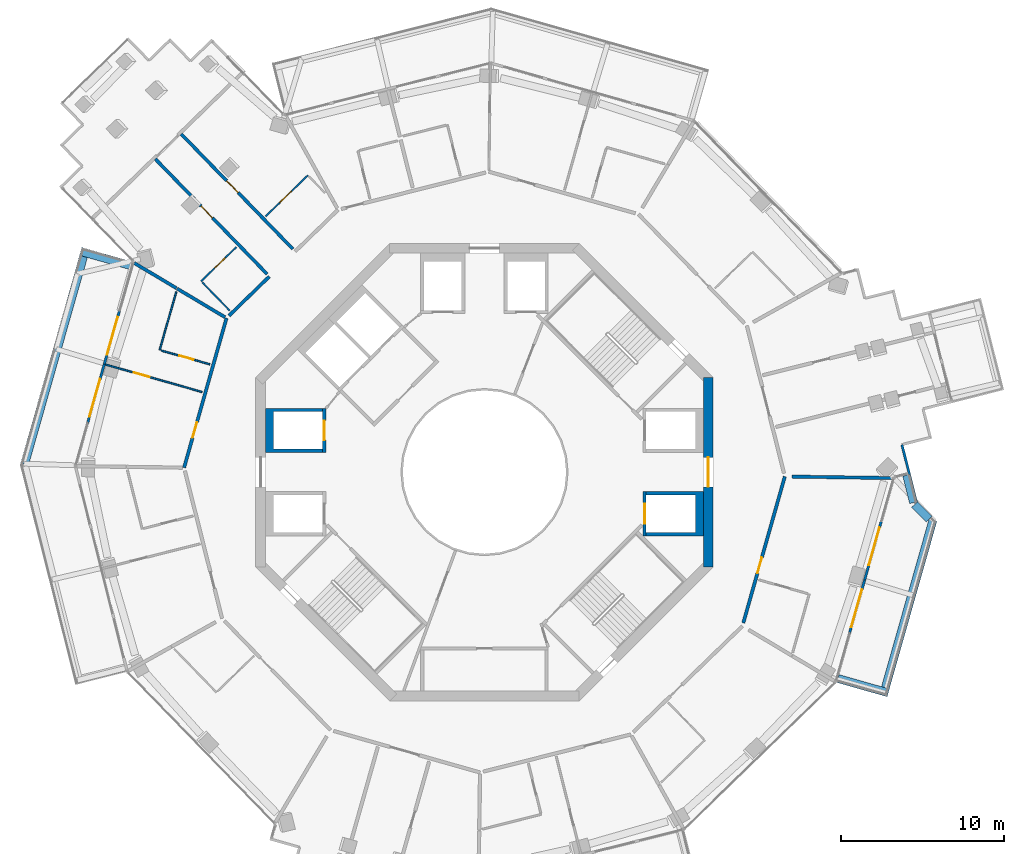
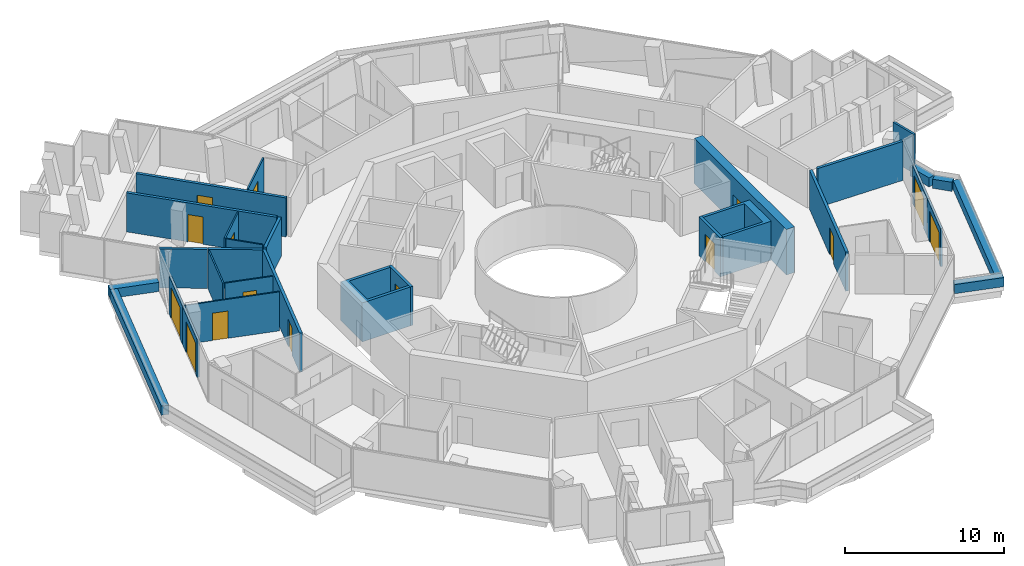
# One storey, part 18 of 24: 30 walls, 15 doors, 15 openings.
"""IFC4 building model written with IfcOpenShell, lengths in metres."""

from ifc_helpers import new_model, si_unit, direction, frame, frame_2d, origin, place, context, subcontext, project, spatial, polyline, rectangle, outline, extrude, material, layer, layer_set, type_object, element, fill, save


model = new_model("IFC4")

# Units and contexts
model_context = context("Model", 3, precision=1e-05, world=origin(), true_north=direction((0.0, 1.0)))
body_context = subcontext(model_context, "Body", "Model", "MODEL_VIEW")
ifc_project = project(units=[si_unit("LENGTHUNIT", "METRE"), si_unit("AREAUNIT", "SQUARE_METRE"), si_unit("VOLUMEUNIT", "CUBIC_METRE"), si_unit("PLANEANGLEUNIT", "RADIAN"), si_unit("MASSUNIT", "GRAM", prefix="KILO")], contexts=[model_context])

# Site, building, storey
site_placement = place(None, origin())
site = spatial("IfcSite", under=ifc_project, at=site_placement, CompositionType="ELEMENT")
building_placement = place(site_placement, origin())
building = spatial("IfcBuilding", under=site, at=building_placement, Name="Verdalira Terraces Hotel", CompositionType="ELEMENT")
storey_placement = place(building_placement, frame((0.0, 0.0, 212.5)))
storey = spatial("IfcBuildingStorey", under=building, at=storey_placement, Name="L52", CompositionType="ELEMENT", Elevation=212.5)

# Walls
ifc_material_1 = material(Name="Concrete C40", Category="concrete")
ifc_layer_1 = layer(ifc_material_1, 0.5)
ifc_layer_set_1 = layer_set([ifc_layer_1], Name="Balcony planter trough with tree")
wall_type_1 = type_object("IfcWallType", Name="Balcony planter trough with tree", PredefinedType="SOLIDWALL", material=ifc_layer_set_1)
wall_1_placement = place(storey_placement, frame((-21.63208, 12.634277, 0.0), z_axis=(0.0, 0.0, 1.0), x_axis=(-0.962020571, 0.272976962, 0.0)))
element("IfcWall", 1, at=wall_1_placement, inside=storey, type_object=wall_type_1, Name="Balcony planter", PredefinedType="SOLIDWALL", context=body_context, shape_type="SweptSolid", body=[
    extrude(rectangle(XDim=3.199219, YDim=0.5, at=frame_2d((1.599609, 0.0))), origin(), (0.0, 0.0, 1.0), 0.699951),
])
wall_2_placement = place(storey_placement, frame((-24.537354, 13.19873, 0.0), z_axis=(0.0, 0.0, 1.0), x_axis=(-0.272950348, -0.962028122, 0.0)))
element("IfcWall", 2, at=wall_2_placement, inside=storey, type_object=wall_type_1, Name="Balcony planter", PredefinedType="SOLIDWALL", context=body_context, shape_type="SweptSolid", body=[
    extrude(rectangle(XDim=13.223633, YDim=0.5, at=frame_2d((6.611816, 0.0))), origin(), (0.0, 0.0, 1.0), 0.699951),
])
wall_3_placement = place(storey_placement, frame((21.63208, -12.634277, 0.0), z_axis=(0.0, 0.0, 1.0), x_axis=(0.962020571, -0.272976962, 0.0)))
element("IfcWall", 3, at=wall_3_placement, inside=storey, type_object=wall_type_1, Name="Balcony planter", PredefinedType="SOLIDWALL", context=body_context, shape_type="SweptSolid", body=[
    extrude(rectangle(XDim=3.199219, YDim=0.5, at=frame_2d((1.599609, 0.0))), origin(), (0.0, 0.0, 1.0), 0.699951),
])
wall_4_placement = place(storey_placement, frame((24.537354, -13.19873, 0.0), z_axis=(0.0, 0.0, 1.0), x_axis=(0.272958972, 0.962025675, 0.0)))
element("IfcWall", 4, at=wall_4_placement, inside=storey, type_object=wall_type_1, Name="Balcony planter", PredefinedType="SOLIDWALL", context=body_context, shape_type="SweptSolid", body=[
    extrude(rectangle(XDim=10.652588, YDim=0.5, at=frame_2d((5.326172, 0.0))), origin(), (0.0, 0.0, 1.0), 0.699951),
])
wall_5_placement = place(storey_placement, frame((27.20459, -2.882568, 0.0), z_axis=(0.0, 0.0, 1.0), x_axis=(-0.696583766, 0.717475475, 0.0)))
element("IfcWall", 5, at=wall_5_placement, inside=storey, type_object=wall_type_1, Name="Balcony planter", PredefinedType="SOLIDWALL", context=body_context, shape_type="SweptSolid", body=[
    extrude(rectangle(XDim=1.262207, YDim=0.5, at=frame_2d((0.631104, 0.0))), origin(), (0.0, 0.0, 1.0), 0.699951),
])
wall_6_placement = place(storey_placement, frame((26.262207, -1.864014, 0.0), z_axis=(0.0, 0.0, 1.0), x_axis=(-0.244592852, 0.969625875, 0.0)))
element("IfcWall", 6, at=wall_6_placement, inside=storey, type_object=wall_type_1, Name="Balcony planter", PredefinedType="SOLIDWALL", context=body_context, shape_type="SweptSolid", body=[
    extrude(rectangle(XDim=1.730713, YDim=0.5, at=frame_2d((0.865234, 0.0))), origin(), (0.0, 0.0, 1.0), 0.699951),
])

# Wall, opening, door
ifc_material_2 = material(Name="Moisture-resistant gypsum board partition")
ifc_layer_2 = layer(ifc_material_2, 0.10009765625)
ifc_layer_set_2 = layer_set([ifc_layer_2], Name="Bathroom partition 100 mm")
wall_type_2 = type_object("IfcWallType", Name="Bathroom partition 100 mm", PredefinedType="PARTITIONING", material=ifc_layer_set_2)
wall_7_placement = place(storey_placement, frame((-23.192871, 6.580322, 0.0), z_axis=(0.0, 0.0, 1.0), x_axis=(0.96203609, -0.272922263, 0.0)))
wall_7 = element("IfcWall", 7, at=wall_7_placement, inside=storey, type_object=wall_type_2, Name="Bathroom partition", PredefinedType="PARTITIONING", context=body_context, shape_type="SweptSolid", body=[
    extrude(rectangle(XDim=6.149902, YDim=0.100098, at=frame_2d((3.074951, 0.0))), origin(), (0.0, 0.0, 1.0), 3.0),
])
opening_1_placement = place(wall_7_placement, frame((1.800049, 0.0, 0.0)))
opening_1 = element("IfcOpeningElement", 8, at=opening_1_placement, cuts=wall_7, Name="Opening L52-106", PredefinedType="OPENING", context=body_context, shape_type="SweptSolid", body=[
    extrude(rectangle(XDim=1.0, YDim=2.100098, at=frame_2d((0.5, 1.050049))), frame((0.0, 0.060059, 0.0), z_axis=(0.0, -1.0, 0.0), x_axis=(1.0, 0.0, 0.0)), (0.0, 0.0, 1.0), 0.120117),
])
ifc_material_3 = material(Name="Timber door", Category="wood")
door_type_1 = type_object("IfcDoorType", Name="Suite internal door 1000 x 2100", OperationType="NOTDEFINED", PredefinedType="DOOR", material=ifc_material_3)
door_1_placement = place(opening_1_placement, origin())
door_1 = element("IfcDoor", 9, at=door_1_placement, inside=storey, type_object=door_type_1, Name="Suite internal door 5203", OperationType="SINGLE_SWING_LEFT", OverallHeight=2.10009765625, OverallWidth=1.0, PredefinedType="DOOR", context=body_context, shape_type="SweptSolid", body=[
    extrude(rectangle(XDim=1.0, YDim=2.100098, at=frame_2d((0.5, 1.050049))), frame((0.0, 0.024902, 0.0), z_axis=(0.0, -1.0, 0.0), x_axis=(1.0, 0.0, 0.0)), (0.0, 0.0, 1.0), 0.050049),
])
fill(opening_1, door_1)

# Wall
wall_8_placement = place(storey_placement, frame((-18.864014, 11.030029, 0.0), z_axis=(0.0, 0.0, 1.0), x_axis=(-0.2729534, -0.962027256, 0.0)))
element("IfcWall", 10, at=wall_8_placement, inside=storey, type_object=wall_type_2, Name="Bathroom partition", PredefinedType="PARTITIONING", context=body_context, shape_type="SweptSolid", body=[
    extrude(rectangle(XDim=3.703857, YDim=0.100098, at=frame_2d((1.852051, 0.0))), origin(), (0.0, 0.0, 1.0), 3.0),
])

# Wall, opening, door
wall_9_placement = place(storey_placement, frame((-19.778809, 7.439453, 0.0), z_axis=(0.0, 0.0, 1.0), x_axis=(0.96202752, -0.272952471, 0.0)))
wall_9 = element("IfcWall", 11, at=wall_9_placement, inside=storey, type_object=wall_type_2, Name="Bathroom partition", PredefinedType="PARTITIONING", context=body_context, shape_type="SweptSolid", body=[
    extrude(rectangle(XDim=3.100098, YDim=0.100098, at=frame_2d((1.550049, 0.0))), origin(), (0.0, 0.0, 1.0), 3.0),
])
opening_2_placement = place(wall_9_placement, frame((1.149902, 0.0, 0.0)))
opening_2 = element("IfcOpeningElement", 12, at=opening_2_placement, cuts=wall_9, Name="Opening L52-107", PredefinedType="OPENING", context=body_context, shape_type="SweptSolid", body=[
    extrude(rectangle(XDim=0.899902, YDim=2.100098, at=frame_2d((0.449951, 1.050049))), frame((0.0, 0.060059, 0.0), z_axis=(0.0, -1.0, 0.0), x_axis=(1.0, 0.0, 0.0)), (0.0, 0.0, 1.0), 0.120117),
])
ifc_material_4 = material(Name="Timber door", Category="wood")
door_type_2 = type_object("IfcDoorType", Name="Bathroom door 900 x 2100", OperationType="NOTDEFINED", PredefinedType="DOOR", material=ifc_material_4)
door_2_placement = place(opening_2_placement, origin())
door_2 = element("IfcDoor", 13, at=door_2_placement, inside=storey, type_object=door_type_2, Name="Bathroom door 5203", OperationType="SINGLE_SWING_LEFT", OverallHeight=2.10009765625, OverallWidth=0.89990234375, PredefinedType="DOOR", context=body_context, shape_type="SweptSolid", body=[
    extrude(rectangle(XDim=0.899902, YDim=2.100098, at=frame_2d((0.449951, 1.050049))), frame((0.0, 0.024902, 0.0), z_axis=(0.0, -1.0, 0.0), x_axis=(1.0, 0.0, 0.0)), (0.0, 0.0, 1.0), 0.050049),
])
fill(opening_2, door_2)

# Wall
wall_10_placement = place(storey_placement, frame((-15.595703, 9.887695, 0.0), z_axis=(0.0, 0.0, 1.0), x_axis=(-0.696654076, 0.717407206, 0.0)))
element("IfcWall", 14, at=wall_10_placement, inside=storey, type_object=wall_type_2, Name="Bathroom partition", PredefinedType="PARTITIONING", context=body_context, shape_type="SweptSolid", body=[
    extrude(rectangle(XDim=2.399902, YDim=0.100098, at=frame_2d((1.199951, 0.0))), origin(), (0.0, 0.0, 1.0), 3.0),
])

# Wall, opening, door
wall_11_placement = place(storey_placement, frame((-15.185303, 13.770996, 0.0), z_axis=(0.0, 0.0, 1.0), x_axis=(-0.717407206, -0.696654076, 0.0)))
wall_11 = element("IfcWall", 15, at=wall_11_placement, inside=storey, type_object=wall_type_2, Name="Bathroom partition", PredefinedType="PARTITIONING", context=body_context, shape_type="SweptSolid", body=[
    extrude(rectangle(XDim=2.999756, YDim=0.100098, at=frame_2d((1.5, 0.0))), origin(), (0.0, 0.0, 1.0), 3.0),
])
opening_3_placement = place(wall_11_placement, frame((0.949951, 0.0, 0.0)))
opening_3 = element("IfcOpeningElement", 16, at=opening_3_placement, cuts=wall_11, Name="Opening L52-104", PredefinedType="OPENING", context=body_context, shape_type="SweptSolid", body=[
    extrude(rectangle(XDim=0.899902, YDim=2.100098, at=frame_2d((0.449951, 1.050049))), frame((0.0, 0.060059, 0.0), z_axis=(0.0, -1.0, 0.0), x_axis=(1.0, 0.0, 0.0)), (0.0, 0.0, 1.0), 0.120117),
])
door_3_placement = place(opening_3_placement, origin())
door_3 = element("IfcDoor", 17, at=door_3_placement, inside=storey, type_object=door_type_2, Name="Bathroom door 5202", OperationType="SINGLE_SWING_RIGHT", OverallHeight=2.10009765625, OverallWidth=0.89990234375, PredefinedType="DOOR", context=body_context, shape_type="SweptSolid", body=[
    extrude(rectangle(XDim=0.899902, YDim=2.100098, at=frame_2d((0.449951, 1.050049))), frame((0.0, 0.024902, 0.0), z_axis=(0.0, -1.0, 0.0), x_axis=(1.0, 0.0, 0.0)), (0.0, 0.0, 1.0), 0.050049),
])
fill(opening_3, door_3)

wall_12_placement = place(storey_placement, frame((-10.806885, 18.162109, 0.0), z_axis=(0.0, 0.0, 1.0), x_axis=(-0.717440118, -0.696620181, 0.0)))
wall_12 = element("IfcWall", 18, at=wall_12_placement, inside=storey, type_object=wall_type_2, Name="Bathroom partition", PredefinedType="PARTITIONING", context=body_context, shape_type="SweptSolid", body=[
    extrude(rectangle(XDim=3.599854, YDim=0.100098, at=frame_2d((1.799805, 0.0))), origin(), (0.0, 0.0, 1.0), 3.0),
])
opening_4_placement = place(wall_12_placement, frame((1.399902, 0.0, 0.0)))
opening_4 = element("IfcOpeningElement", 19, at=opening_4_placement, cuts=wall_12, Name="Opening L52-102", PredefinedType="OPENING", context=body_context, shape_type="SweptSolid", body=[
    extrude(rectangle(XDim=1.0, YDim=2.100098, at=frame_2d((0.5, 1.050049))), frame((0.0, 0.060059, 0.0), z_axis=(0.0, -1.0, 0.0), x_axis=(1.0, 0.0, 0.0)), (0.0, 0.0, 1.0), 0.120117),
])
ifc_material_5 = material(Name="Timber door", Category="wood")
door_type_3 = type_object("IfcDoorType", Name="Bathroom door 1000 x 2100", OperationType="NOTDEFINED", PredefinedType="DOOR", material=ifc_material_5)
door_4_placement = place(opening_4_placement, origin())
door_4 = element("IfcDoor", 20, at=door_4_placement, inside=storey, type_object=door_type_3, Name="Bathroom door 5201", OperationType="SINGLE_SWING_LEFT", OverallHeight=2.10009765625, OverallWidth=1.0, PredefinedType="DOOR", context=body_context, shape_type="SweptSolid", body=[
    extrude(rectangle(XDim=1.0, YDim=2.100098, at=frame_2d((0.5, 1.050049))), frame((0.0, 0.024902, 0.0), z_axis=(0.0, -1.0, 0.0), x_axis=(1.0, 0.0, 0.0)), (0.0, 0.0, 1.0), 0.050049),
])
fill(opening_4, door_4)

# Wall
ifc_material_6 = material(Name="Concrete C50", Category="concrete")
ifc_layer_3 = layer(ifc_material_6, 0.199951171875)
ifc_layer_set_3 = layer_set([ifc_layer_3], Name="Core RC wall 200 C50")
wall_type_3 = type_object("IfcWallType", Name="Core RC wall 200 C50", PredefinedType="SOLIDWALL", material=ifc_layer_set_3)
wall_13_placement = place(storey_placement, origin())
element("IfcWall", 21, at=wall_13_placement, inside=storey, type_object=wall_type_3, Name="L52 shaft wall E1", PredefinedType="SOLIDWALL", context=body_context, shape_type="SweptSolid", body=[
    extrude(outline(polyline([(13.399902, -3.899902), (9.899902, -3.899902), (9.899902, -3.699951), (12.899902, -3.699951), (12.899902, -1.399902), (9.899902, -1.399902), (9.899902, -1.199951), (13.399902, -1.199951), (13.399902, -3.899902)])), origin(), (0.0, 0.0, 1.0), 3.0),
])

# Wall, opening, door
wall_14_placement = place(storey_placement, frame((9.800049, -1.199951, 0.0), z_axis=(0.0, 0.0, 1.0), x_axis=(0.0, -1.0, 0.0)))
wall_14 = element("IfcWall", 22, at=wall_14_placement, inside=storey, type_object=wall_type_3, Name="L52 shaft front wall E1", PredefinedType="SOLIDWALL", context=body_context, shape_type="SweptSolid", body=[
    extrude(rectangle(XDim=2.699951, YDim=0.199951, at=frame_2d((1.350098, 0.0))), origin(), (0.0, 0.0, 1.0), 3.0),
])
opening_5_placement = place(wall_14_placement, frame((0.75, 0.0, 0.0)))
opening_5 = element("IfcOpeningElement", 23, at=opening_5_placement, cuts=wall_14, Name="Opening LD-L52-802", PredefinedType="OPENING", context=body_context, shape_type="SweptSolid", body=[
    extrude(rectangle(XDim=1.199951, YDim=2.100098, at=frame_2d((0.600098, 1.050049))), frame((0.0, 0.109863, 0.0), z_axis=(0.0, -1.0, 0.0), x_axis=(1.0, 0.0, 0.0)), (0.0, 0.0, 1.0), 0.219971),
])
ifc_material_7 = material(Name="Stainless steel", Category="steel")
door_type_4 = type_object("IfcDoorType", Name="Landing door 1200 x 2100", OperationType="NOTDEFINED", PredefinedType="DOOR", material=ifc_material_7)
door_5_placement = place(opening_5_placement, origin())
door_5 = element("IfcDoor", 24, at=door_5_placement, inside=storey, type_object=door_type_4, Name="Lift landing door HR1 L52", OperationType="DOUBLE_DOOR_SLIDING", OverallHeight=2.10009765625, OverallWidth=1.199951171875, PredefinedType="DOOR", context=body_context, shape_type="SweptSolid", body=[
    extrude(rectangle(XDim=1.199951, YDim=2.100098, at=frame_2d((0.600098, 1.050049))), frame((0.0, 0.024902, 0.0), z_axis=(0.0, -1.0, 0.0), x_axis=(1.0, 0.0, 0.0)), (0.0, 0.0, 1.0), 0.050049),
])
fill(opening_5, door_5)

# Wall
wall_15_placement = place(storey_placement, origin())
element("IfcWall", 25, at=wall_15_placement, inside=storey, type_object=wall_type_3, Name="L52 shaft wall W1", PredefinedType="SOLIDWALL", context=body_context, shape_type="SweptSolid", body=[
    extrude(outline(polyline([(-13.399902, 3.899902), (-9.899902, 3.899902), (-9.899902, 3.699951), (-12.899902, 3.699951), (-12.899902, 1.399902), (-9.899902, 1.399902), (-9.899902, 1.199951), (-13.399902, 1.199951), (-13.399902, 3.899902)])), origin(), (0.0, 0.0, 1.0), 3.0),
])

# Wall, opening, door
wall_16_placement = place(storey_placement, frame((-9.800049, 1.199951, 0.0), z_axis=(0.0, 0.0, 1.0), x_axis=(0.0, 1.0, 0.0)))
wall_16 = element("IfcWall", 26, at=wall_16_placement, inside=storey, type_object=wall_type_3, Name="L52 shaft front wall W1", PredefinedType="SOLIDWALL", context=body_context, shape_type="SweptSolid", body=[
    extrude(rectangle(XDim=2.699951, YDim=0.199951, at=frame_2d((1.350098, 0.0))), origin(), (0.0, 0.0, 1.0), 3.0),
])
opening_6_placement = place(wall_16_placement, frame((0.75, 0.0, 0.0)))
opening_6 = element("IfcOpeningElement", 27, at=opening_6_placement, cuts=wall_16, Name="Opening LD-L52-806", PredefinedType="OPENING", context=body_context, shape_type="SweptSolid", body=[
    extrude(rectangle(XDim=1.199951, YDim=2.100098, at=frame_2d((0.600098, 1.050049))), frame((0.0, 0.109863, 0.0), z_axis=(0.0, -1.0, 0.0), x_axis=(1.0, 0.0, 0.0)), (0.0, 0.0, 1.0), 0.219971),
])
door_6_placement = place(opening_6_placement, origin())
door_6 = element("IfcDoor", 28, at=door_6_placement, inside=storey, type_object=door_type_4, Name="Lift landing door HR5 L52", OperationType="DOUBLE_DOOR_SLIDING", OverallHeight=2.10009765625, OverallWidth=1.199951171875, PredefinedType="DOOR", context=body_context, shape_type="SweptSolid", body=[
    extrude(rectangle(XDim=1.199951, YDim=2.100098, at=frame_2d((0.600098, 1.050049))), frame((0.0, 0.024902, 0.0), z_axis=(0.0, -1.0, 0.0), x_axis=(1.0, 0.0, 0.0)), (0.0, 0.0, 1.0), 0.050049),
])
fill(opening_6, door_6)

ifc_material_8 = material(Name="Concrete C60", Category="concrete")
ifc_layer_4 = layer(ifc_material_8, 0.60009765625)
ifc_layer_set_4 = layer_set([ifc_layer_4], Name="Core wall 600 C60")
wall_type_4 = type_object("IfcWallType", Name="Core wall 600 C60", PredefinedType="SHEAR", material=ifc_layer_set_4)
wall_17_placement = place(storey_placement, frame((13.699951, -5.799072, 0.0), z_axis=(0.0, 0.0, 1.0), x_axis=(0.0, 1.0, 0.0)))
wall_17 = element("IfcWall", 29, at=wall_17_placement, inside=storey, type_object=wall_type_4, Name="Core wall CW-L52-1", PredefinedType="SHEAR", context=body_context, shape_type="SweptSolid", body=[
    extrude(rectangle(XDim=11.598145, YDim=0.600098, at=frame_2d((5.799072, 0.0))), origin(), (0.0, 0.0, 1.0), 3.5),
])
opening_7_placement = place(wall_17_placement, frame((4.898926, 0.0, 0.0)))
opening_7 = element("IfcOpeningElement", 30, at=opening_7_placement, cuts=wall_17, Name="Opening L52-813", PredefinedType="OPENING", context=body_context, shape_type="SweptSolid", body=[
    extrude(rectangle(XDim=1.800049, YDim=2.100098, at=frame_2d((0.899902, 1.050049))), frame((0.0, 0.310059, 0.0), z_axis=(0.0, -1.0, 0.0), x_axis=(1.0, 0.0, 0.0)), (0.0, 0.0, 1.0), 0.620117),
])
ifc_material_9 = material(Name="Steel fire door", Category="steel")
door_type_5 = type_object("IfcDoorType", Name="Core entry door pair 1800 x 2100", OperationType="NOTDEFINED", PredefinedType="DOOR", material=ifc_material_9)
door_7_placement = place(opening_7_placement, origin())
door_7 = element("IfcDoor", 31, at=door_7_placement, inside=storey, type_object=door_type_5, Name="Core entry door L52 0", OperationType="DOUBLE_DOOR_SINGLE_SWING", OverallHeight=2.10009765625, OverallWidth=1.800048828125, PredefinedType="DOOR", context=body_context, shape_type="SweptSolid", body=[
    extrude(rectangle(XDim=1.800049, YDim=2.100098, at=frame_2d((0.899902, 1.050049))), frame((0.0, 0.024902, 0.0), z_axis=(0.0, -1.0, 0.0), x_axis=(1.0, 0.0, 0.0)), (0.0, 0.0, 1.0), 0.050049),
])
fill(opening_7, door_7)

# Walls
ifc_material_10 = material(Name="Fire-rated gypsum board wall")
ifc_layer_5 = layer(ifc_material_10, 0.199951171875)
ifc_layer_set_5 = layer_set([ifc_layer_5], Name="Demising wall 200 mm")
wall_type_5 = type_object("IfcWallType", Name="Demising wall 200 mm", PredefinedType="SOLIDWALL", material=ifc_layer_set_5)
wall_18_placement = place(storey_placement, frame((-18.848633, 11.253906, 0.0), z_axis=(0.0, 0.0, 1.0), x_axis=(-0.858599774, 0.512646494, 0.0)))
element("IfcWall", 32, at=wall_18_placement, inside=storey, type_object=wall_type_5, Name="Demising wall", PredefinedType="SOLIDWALL", context=body_context, shape_type="SweptSolid", body=[
    extrude(rectangle(XDim=3.01123, YDim=0.199951, at=frame_2d((1.505615, 0.0))), origin(), (0.0, 0.0, 1.0), 3.0),
])
wall_19_placement = place(storey_placement, frame((-15.874023, 9.477783, 0.0), z_axis=(0.0, 0.0, 1.0), x_axis=(-0.858600029, 0.512646066, 0.0)))
element("IfcWall", 33, at=wall_19_placement, inside=storey, type_object=wall_type_5, Name="Demising wall", PredefinedType="SOLIDWALL", context=body_context, shape_type="SweptSolid", body=[
    extrude(rectangle(XDim=3.418457, YDim=0.199951, at=frame_2d((1.709229, 0.0))), origin(), (0.0, 0.0, 1.0), 3.0),
])
wall_20_placement = place(storey_placement, frame((24.961426, -0.365967, 0.0), z_axis=(0.0, 0.0, 1.0), x_axis=(-0.999892659, 0.014651609, 0.0)))
element("IfcWall", 34, at=wall_20_placement, inside=storey, type_object=wall_type_5, Name="Demising wall", PredefinedType="SOLIDWALL", context=body_context, shape_type="SweptSolid", body=[
    extrude(rectangle(XDim=6.13208, YDim=0.199951, at=frame_2d((3.065918, 0.0))), origin(), (0.0, 0.0, 1.0), 3.0),
])

# Wall, opening, door
ifc_material_11 = material(Name="Fire-rated gypsum board wall")
ifc_layer_6 = layer(ifc_material_11, 0.199951171875)
ifc_layer_set_6 = layer_set([ifc_layer_6], Name="Guest corridor wall 200 mm")
wall_type_6 = type_object("IfcWallType", Name="Guest corridor wall 200 mm", PredefinedType="SOLIDWALL", material=ifc_layer_set_6)
wall_21_placement = place(storey_placement, frame((-18.382812, 0.269531, 0.0), z_axis=(0.0, 0.0, 1.0), x_axis=(0.272958768, 0.962025733, 0.0)))
wall_21 = element("IfcWall", 35, at=wall_21_placement, inside=storey, type_object=wall_type_6, Name="Guest corridor wall", PredefinedType="SOLIDWALL", context=body_context, shape_type="SweptSolid", body=[
    extrude(rectangle(XDim=9.516602, YDim=0.199951, at=frame_2d((4.758301, 0.0))), origin(), (0.0, 0.0, 1.0), 3.0),
])
opening_8_placement = place(wall_21_placement, frame((1.899902, 0.0, 0.0)))
opening_8 = element("IfcOpeningElement", 36, at=opening_8_placement, cuts=wall_21, Name="Opening L52-105", PredefinedType="OPENING", context=body_context, shape_type="SweptSolid", body=[
    extrude(rectangle(XDim=1.0, YDim=2.100098, at=frame_2d((0.5, 1.050049))), frame((0.0, 0.109863, 0.0), z_axis=(0.0, -1.0, 0.0), x_axis=(1.0, 0.0, 0.0)), (0.0, 0.0, 1.0), 0.219971),
])
ifc_material_12 = material(Name="Timber fire door", Category="wood")
door_type_6 = type_object("IfcDoorType", Name="Guest entry door 1000 x 2100", OperationType="NOTDEFINED", PredefinedType="DOOR", material=ifc_material_12)
door_8_placement = place(opening_8_placement, origin())
door_8 = element("IfcDoor", 37, at=door_8_placement, inside=storey, type_object=door_type_6, Name="Guest entry door 5203", OperationType="SINGLE_SWING_LEFT", OverallHeight=2.10009765625, OverallWidth=1.0, PredefinedType="DOOR", context=body_context, shape_type="SweptSolid", body=[
    extrude(rectangle(XDim=1.0, YDim=2.100098, at=frame_2d((0.5, 1.050049))), frame((0.0, 0.024902, 0.0), z_axis=(0.0, -1.0, 0.0), x_axis=(1.0, 0.0, 0.0)), (0.0, 0.0, 1.0), 0.050049),
])
fill(opening_8, door_8)

wall_22_placement = place(storey_placement, frame((-13.300049, 12.116943, 0.0), z_axis=(0.0, 0.0, 1.0), x_axis=(-0.696664352, 0.717397226, 0.0)))
wall_22 = element("IfcWall", 38, at=wall_22_placement, inside=storey, type_object=wall_type_6, Name="Guest corridor wall", PredefinedType="SOLIDWALL", context=body_context, shape_type="SweptSolid", body=[
    extrude(rectangle(XDim=9.820801, YDim=0.199951, at=frame_2d((4.9104, 0.0))), origin(), (0.0, 0.0, 1.0), 3.0),
])
opening_9_placement = place(wall_22_placement, frame((4.800049, 0.0, 0.0)))
opening_9 = element("IfcOpeningElement", 39, at=opening_9_placement, cuts=wall_22, Name="Opening L52-103", PredefinedType="OPENING", context=body_context, shape_type="SweptSolid", body=[
    extrude(rectangle(XDim=1.0, YDim=2.100098, at=frame_2d((0.5, 1.050049))), frame((0.0, 0.109863, 0.0), z_axis=(0.0, -1.0, 0.0), x_axis=(1.0, 0.0, 0.0)), (0.0, 0.0, 1.0), 0.219971),
])
door_9_placement = place(opening_9_placement, origin())
door_9 = element("IfcDoor", 40, at=door_9_placement, inside=storey, type_object=door_type_6, Name="Guest entry door 5202", OperationType="SINGLE_SWING_RIGHT", OverallHeight=2.10009765625, OverallWidth=1.0, PredefinedType="DOOR", context=body_context, shape_type="SweptSolid", body=[
    extrude(rectangle(XDim=1.0, YDim=2.100098, at=frame_2d((0.5, 1.050049))), frame((0.0, 0.024902, 0.0), z_axis=(0.0, -1.0, 0.0), x_axis=(1.0, 0.0, 0.0)), (0.0, 0.0, 1.0), 0.050049),
])
fill(opening_9, door_9)

wall_23_placement = place(storey_placement, frame((-18.563477, 20.695068, 0.0), z_axis=(0.0, 0.0, 1.0), x_axis=(0.696664352, -0.717397226, 0.0)))
wall_23 = element("IfcWall", 41, at=wall_23_placement, inside=storey, type_object=wall_type_6, Name="Guest corridor wall", PredefinedType="SOLIDWALL", context=body_context, shape_type="SweptSolid", body=[
    extrude(rectangle(XDim=9.820801, YDim=0.199951, at=frame_2d((4.9104, 0.0))), origin(), (0.0, 0.0, 1.0), 3.0),
])
opening_10_placement = place(wall_23_placement, frame((4.0, 0.0, 0.0)))
opening_10 = element("IfcOpeningElement", 42, at=opening_10_placement, cuts=wall_23, Name="Opening L52-101", PredefinedType="OPENING", context=body_context, shape_type="SweptSolid", body=[
    extrude(rectangle(XDim=1.0, YDim=2.100098, at=frame_2d((0.5, 1.050049))), frame((0.0, 0.109863, 0.0), z_axis=(0.0, -1.0, 0.0), x_axis=(1.0, 0.0, 0.0)), (0.0, 0.0, 1.0), 0.219971),
])
door_10_placement = place(opening_10_placement, origin())
door_10 = element("IfcDoor", 43, at=door_10_placement, inside=storey, type_object=door_type_6, Name="Guest entry door 5201", OperationType="SINGLE_SWING_LEFT", OverallHeight=2.10009765625, OverallWidth=1.0, PredefinedType="DOOR", context=body_context, shape_type="SweptSolid", body=[
    extrude(rectangle(XDim=1.0, YDim=2.100098, at=frame_2d((0.5, 1.050049))), frame((0.0, 0.024902, 0.0), z_axis=(0.0, -1.0, 0.0), x_axis=(1.0, 0.0, 0.0)), (0.0, 0.0, 1.0), 0.050049),
])
fill(opening_10, door_10)

# Wall
wall_24_placement = place(storey_placement, frame((-13.160645, 11.973389, 0.0), z_axis=(0.0, 0.0, 1.0), x_axis=(-0.717408406, -0.696652839, 0.0)))
element("IfcWall", 44, at=wall_24_placement, inside=storey, type_object=wall_type_6, Name="Guest corridor wall", PredefinedType="SOLIDWALL", context=body_context, shape_type="SweptSolid", body=[
    extrude(rectangle(XDim=3.458252, YDim=0.199951, at=frame_2d((1.729004, 0.0))), origin(), (0.0, 0.0, 1.0), 3.0),
])

# Wall, opening, door
wall_25_placement = place(storey_placement, frame((18.382812, -0.269531, 0.0), z_axis=(0.0, 0.0, 1.0), x_axis=(-0.272948627, -0.96202861, 0.0)))
wall_25 = element("IfcWall", 45, at=wall_25_placement, inside=storey, type_object=wall_type_6, Name="Guest corridor wall", PredefinedType="SOLIDWALL", context=body_context, shape_type="SweptSolid", body=[
    extrude(rectangle(XDim=9.31665, YDim=0.199951, at=frame_2d((4.658203, 0.0))), origin(), (0.0, 0.0, 1.0), 3.0),
])
opening_11_placement = place(wall_25_placement, frame((5.149902, 0.0, 0.0)))
opening_11 = element("IfcOpeningElement", 46, at=opening_11_placement, cuts=wall_25, Name="Opening L52-121", PredefinedType="OPENING", context=body_context, shape_type="SweptSolid", body=[
    extrude(rectangle(XDim=1.0, YDim=2.100098, at=frame_2d((0.5, 1.050049))), frame((0.0, 0.109863, 0.0), z_axis=(0.0, -1.0, 0.0), x_axis=(1.0, 0.0, 0.0)), (0.0, 0.0, 1.0), 0.219971),
])
door_11_placement = place(opening_11_placement, origin())
door_11 = element("IfcDoor", 47, at=door_11_placement, inside=storey, type_object=door_type_6, Name="Guest entry door 5209", OperationType="SINGLE_SWING_LEFT", OverallHeight=2.10009765625, OverallWidth=1.0, PredefinedType="DOOR", context=body_context, shape_type="SweptSolid", body=[
    extrude(rectangle(XDim=1.0, YDim=2.100098, at=frame_2d((0.5, 1.050049))), frame((0.0, 0.024902, 0.0), z_axis=(0.0, -1.0, 0.0), x_axis=(1.0, 0.0, 0.0)), (0.0, 0.0, 1.0), 0.050049),
])
fill(opening_11, door_11)

# Wall
ifc_material_13 = material(Name="Terracotta cladding", Category="masonry")
ifc_layer_7 = layer(ifc_material_13, 0.14990234375)
ifc_layer_set_7 = layer_set([ifc_layer_7], Name="Terracotta clad wall 150")
wall_type_7 = type_object("IfcWallType", Name="Terracotta clad wall 150", PredefinedType="SOLIDWALL", material=ifc_layer_set_7)
wall_26_placement = place(storey_placement, frame((26.008301, -0.141846, 0.0), z_axis=(0.0, 0.0, 1.0), x_axis=(-0.244679801, 0.969603937, 0.0)))
element("IfcWall", 48, at=wall_26_placement, inside=storey, type_object=wall_type_7, Name="Terracotta cladding wall", PredefinedType="SOLIDWALL", context=body_context, shape_type="SweptSolid", body=[
    extrude(rectangle(XDim=1.874756, YDim=0.149902, at=frame_2d((0.9375, 0.0))), origin(), (0.0, 0.0, 1.0), 3.0),
])

# Wall, opening, door
ifc_material_14 = material(Name="Terracotta cladding", Category="masonry")
ifc_layer_8 = layer(ifc_material_14, 0.14990234375)
ifc_layer_set_8 = layer_set([ifc_layer_8], Name="Terracotta door pier 150")
wall_type_8 = type_object("IfcWallType", Name="Terracotta door pier 150", PredefinedType="SOLIDWALL", material=ifc_layer_set_8)
wall_27_placement = place(storey_placement, frame((-22.336914, 9.871826, 0.0), z_axis=(0.0, 0.0, 1.0), x_axis=(-0.272994706, -0.962015536, 0.0)))
wall_27 = element("IfcWall", 49, at=wall_27_placement, inside=storey, type_object=wall_type_8, Name="Terracotta door pier", PredefinedType="SOLIDWALL", context=body_context, shape_type="SweptSolid", body=[
    extrude(rectangle(XDim=3.400146, YDim=0.149902, at=frame_2d((1.700195, 0.0))), origin(), (0.0, 0.0, 1.0), 2.935059),
])
opening_12_placement = place(wall_27_placement, frame((0.399902, 0.0, 0.0)))
opening_12 = element("IfcOpeningElement", 50, at=opening_12_placement, cuts=wall_27, Name="Opening L52-B01", PredefinedType="OPENING", context=body_context, shape_type="SweptSolid", body=[
    extrude(rectangle(XDim=2.399902, YDim=2.399902, at=frame_2d((1.199951, 1.199951))), frame((0.0, 0.084961, 0.0), z_axis=(0.0, -1.0, 0.0), x_axis=(1.0, 0.0, 0.0)), (0.0, 0.0, 1.0), 0.169922),
])
ifc_material_15 = material(Name="Clear glass", Category="glass")
door_type_7 = type_object("IfcDoorType", Name="Balcony sliding door 2400x2400", OperationType="NOTDEFINED", PredefinedType="DOOR", material=ifc_material_15)
door_12_placement = place(opening_12_placement, origin())
door_12 = element("IfcDoor", 51, at=door_12_placement, inside=storey, type_object=door_type_7, Name="Balcony sliding door", OperationType="SLIDING_TO_RIGHT", OverallHeight=2.39990234375, OverallWidth=2.39990234375, PredefinedType="DOOR", context=body_context, shape_type="SweptSolid", body=[
    extrude(rectangle(XDim=2.399902, YDim=2.399902, at=frame_2d((1.199951, 1.199951))), frame((0.0, 0.024902, 0.0), z_axis=(0.0, -1.0, 0.0), x_axis=(1.0, 0.0, 0.0)), (0.0, 0.0, 1.0), 0.050049),
])
fill(opening_12, door_12)

wall_28_placement = place(storey_placement, frame((-23.265137, 6.60083, 0.0), z_axis=(0.0, 0.0, 1.0), x_axis=(-0.272953064, -0.962027351, 0.0)))
wall_28 = element("IfcWall", 52, at=wall_28_placement, inside=storey, type_object=wall_type_8, Name="Terracotta door pier", PredefinedType="SOLIDWALL", context=body_context, shape_type="SweptSolid", body=[
    extrude(rectangle(XDim=3.739746, YDim=0.149902, at=frame_2d((1.869873, 0.0))), origin(), (0.0, 0.0, 1.0), 2.935059),
])
opening_13_placement = place(wall_28_placement, frame((0.939697, 0.0, 0.0)))
opening_13 = element("IfcOpeningElement", 53, at=opening_13_placement, cuts=wall_28, Name="Opening L52-B02", PredefinedType="OPENING", context=body_context, shape_type="SweptSolid", body=[
    extrude(rectangle(XDim=2.399902, YDim=2.399902, at=frame_2d((1.199951, 1.199951))), frame((0.0, 0.084961, 0.0), z_axis=(0.0, -1.0, 0.0), x_axis=(1.0, 0.0, 0.0)), (0.0, 0.0, 1.0), 0.169922),
])
door_13_placement = place(opening_13_placement, origin())
door_13 = element("IfcDoor", 54, at=door_13_placement, inside=storey, type_object=door_type_7, Name="Balcony sliding door", OperationType="SLIDING_TO_LEFT", OverallHeight=2.39990234375, OverallWidth=2.39990234375, PredefinedType="DOOR", context=body_context, shape_type="SweptSolid", body=[
    extrude(rectangle(XDim=2.399902, YDim=2.399902, at=frame_2d((1.199951, 1.199951))), frame((0.0, 0.024902, 0.0), z_axis=(0.0, -1.0, 0.0), x_axis=(1.0, 0.0, 0.0)), (0.0, 0.0, 1.0), 0.050049),
])
fill(opening_13, door_13)

wall_29_placement = place(storey_placement, frame((22.336914, -9.871826, 0.0), z_axis=(0.0, 0.0, 1.0), x_axis=(0.272994706, 0.962015536, 0.0)))
wall_29 = element("IfcWall", 55, at=wall_29_placement, inside=storey, type_object=wall_type_8, Name="Terracotta door pier", PredefinedType="SOLIDWALL", context=body_context, shape_type="SweptSolid", body=[
    extrude(rectangle(XDim=3.400146, YDim=0.149902, at=frame_2d((1.700195, 0.0))), origin(), (0.0, 0.0, 1.0), 2.935059),
])
opening_14_placement = place(wall_29_placement, frame((0.399902, 0.0, 0.0)))
opening_14 = element("IfcOpeningElement", 56, at=opening_14_placement, cuts=wall_29, Name="Opening L52-B08", PredefinedType="OPENING", context=body_context, shape_type="SweptSolid", body=[
    extrude(rectangle(XDim=2.399902, YDim=2.399902, at=frame_2d((1.199951, 1.199951))), frame((0.0, 0.084961, 0.0), z_axis=(0.0, -1.0, 0.0), x_axis=(1.0, 0.0, 0.0)), (0.0, 0.0, 1.0), 0.169922),
])
door_14_placement = place(opening_14_placement, origin())
door_14 = element("IfcDoor", 57, at=door_14_placement, inside=storey, type_object=door_type_7, Name="Balcony sliding door", OperationType="SLIDING_TO_RIGHT", OverallHeight=2.39990234375, OverallWidth=2.39990234375, PredefinedType="DOOR", context=body_context, shape_type="SweptSolid", body=[
    extrude(rectangle(XDim=2.399902, YDim=2.399902, at=frame_2d((1.199951, 1.199951))), frame((0.0, 0.024902, 0.0), z_axis=(0.0, -1.0, 0.0), x_axis=(1.0, 0.0, 0.0)), (0.0, 0.0, 1.0), 0.050049),
])
fill(opening_14, door_14)

wall_30_placement = place(storey_placement, frame((23.265137, -6.60083, 0.0), z_axis=(0.0, 0.0, 1.0), x_axis=(0.272953064, 0.962027351, 0.0)))
wall_30 = element("IfcWall", 58, at=wall_30_placement, inside=storey, type_object=wall_type_8, Name="Terracotta door pier", PredefinedType="SOLIDWALL", context=body_context, shape_type="SweptSolid", body=[
    extrude(rectangle(XDim=3.739746, YDim=0.149902, at=frame_2d((1.869873, 0.0))), origin(), (0.0, 0.0, 1.0), 2.935059),
])
opening_15_placement = place(wall_30_placement, frame((0.939697, 0.0, 0.0)))
opening_15 = element("IfcOpeningElement", 59, at=opening_15_placement, cuts=wall_30, Name="Opening L52-B09", PredefinedType="OPENING", context=body_context, shape_type="SweptSolid", body=[
    extrude(rectangle(XDim=2.399902, YDim=2.399902, at=frame_2d((1.199951, 1.199951))), frame((0.0, 0.084961, 0.0), z_axis=(0.0, -1.0, 0.0), x_axis=(1.0, 0.0, 0.0)), (0.0, 0.0, 1.0), 0.169922),
])
door_15_placement = place(opening_15_placement, origin())
door_15 = element("IfcDoor", 60, at=door_15_placement, inside=storey, type_object=door_type_7, Name="Balcony sliding door", OperationType="SLIDING_TO_LEFT", OverallHeight=2.39990234375, OverallWidth=2.39990234375, PredefinedType="DOOR", context=body_context, shape_type="SweptSolid", body=[
    extrude(rectangle(XDim=2.399902, YDim=2.399902, at=frame_2d((1.199951, 1.199951))), frame((0.0, 0.024902, 0.0), z_axis=(0.0, -1.0, 0.0), x_axis=(1.0, 0.0, 0.0)), (0.0, 0.0, 1.0), 0.050049),
])
fill(opening_15, door_15)

save(model, "model.ifc")
